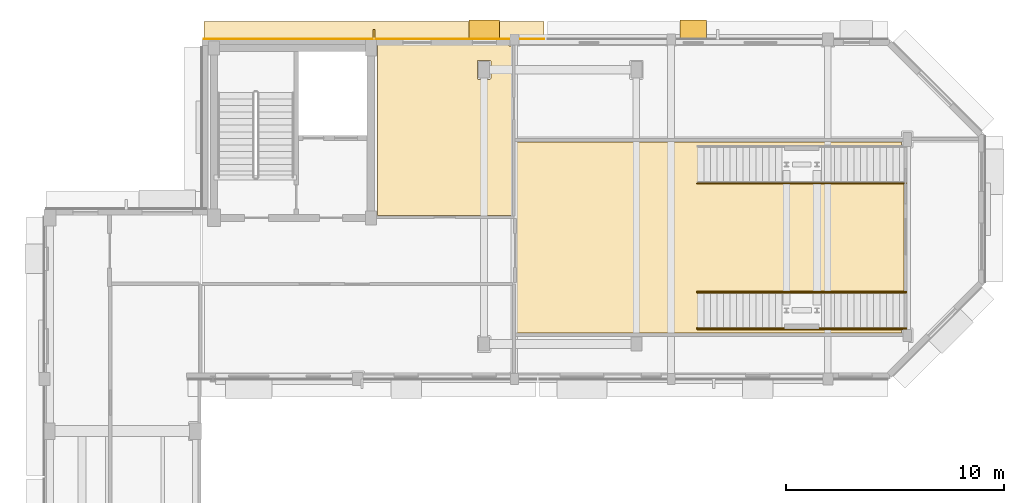
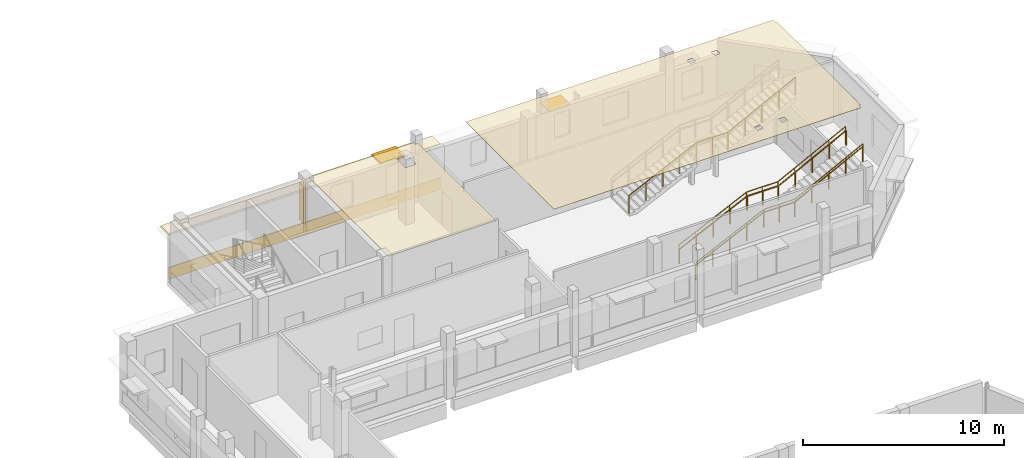
# One storey, part 91 of 92: 5 railings, 4 coverings, 3 shading devices.
"""IFC4 building model written with IfcOpenShell, lengths in metres."""

from ifc_helpers import new_model, si_unit, direction, frame, origin, origin_2d, place, context, subcontext, project, spatial, polyline, rectangle, circle, outline, extrude, material, layer, layer_set, type_object, element, save


model = new_model("IFC4")

# Units and contexts
model_context = context("Model", 3, precision=1e-05, world=origin(), true_north=direction((0.0, 1.0)))
body_context = subcontext(model_context, "Body", "Model", "MODEL_VIEW")
ifc_project = project(units=[si_unit("LENGTHUNIT", "METRE"), si_unit("AREAUNIT", "SQUARE_METRE"), si_unit("VOLUMEUNIT", "CUBIC_METRE"), si_unit("PLANEANGLEUNIT", "RADIAN"), si_unit("MASSUNIT", "GRAM", prefix="KILO")], contexts=[model_context])

# Site, building, storey
site_placement = place(None, origin())
site = spatial("IfcSite", under=ifc_project, at=site_placement, CompositionType="ELEMENT")
building_placement = place(site_placement, origin())
building = spatial("IfcBuilding", under=site, at=building_placement, Name="Kelanivale Promenade Academy", CompositionType="ELEMENT")
storey_placement = place(building_placement, frame((0.0, 0.0, 8.199951171875)))
storey = spatial("IfcBuildingStorey", under=building, at=storey_placement, Name="L02", CompositionType="ELEMENT", Elevation=8.199951171875)

# Coverings
ifc_material_1 = material(Name="Warm ivory Art Deco stucco frieze band 40 mm", Category="masonry")
ifc_layer_1 = layer(ifc_material_1, 0.0400390625)
ifc_layer_set_1 = layer_set([ifc_layer_1], Name="Warm ivory Art Deco stucco frieze band 40 mm")
covering_type_1 = type_object("IfcCoveringType", Name="COV-CLD2 Warm ivory Art Deco stucco frieze ba", PredefinedType="CLADDING", material=ifc_layer_set_1)
covering_1_placement = place(storey_placement, frame((130.7451171875, 112.39990234375, 2.705078125), z_axis=(0.0, 0.0, 1.0), x_axis=(-1.0, 0.0, 0.0)))
element("IfcCovering", 1, at=covering_1_placement, inside=storey, type_object=covering_type_1, Name="Art Deco projecting 820 mm streamline sunshade eyebrow ledge", PredefinedType="CLADDING", context=body_context, shape_type="SweptSolid", body=[
    extrude(rectangle(XDim=15.631103515625, YDim=0.820068359375, at=origin_2d()), origin(), (0.0, 0.0, 1.0), 0.139892578125),
])
covering_2_placement = place(storey_placement, frame((130.7451171875, 112.014892578125, 0.06005859375), z_axis=(0.0, 0.0, 1.0), x_axis=(-1.0, 0.0, 0.0)))
element("IfcCovering", 2, at=covering_2_placement, inside=storey, type_object=covering_type_1, Name="Art Deco ivory stucco sill frieze band", PredefinedType="CLADDING", context=body_context, shape_type="SweptSolid", body=[
    extrude(rectangle(XDim=15.631103515625, YDim=0.0400390625, at=origin_2d()), origin(), (0.0, 0.0, 1.0), 0.719970703125),
])
ifc_material_2 = material(Name="Acoustic mineral-fibre ceiling tile 25 mm", Category="gypsum")
ifc_layer_2 = layer(ifc_material_2, 0.02490234375)
ifc_layer_set_2 = layer_set([ifc_layer_2], Name="Acoustic mineral-fibre ceiling tile 25 mm")
covering_type_2 = type_object("IfcCoveringType", Name="COV-CLG1 Acoustic mineral-fibre ceiling tile ", PredefinedType="CEILING", material=ifc_layer_set_2)
covering_3_placement = place(storey_placement, frame((0.0, 0.0, 3.550048828125)))
element("IfcCovering", 3, at=covering_3_placement, inside=storey, type_object=covering_type_2, Name="Librarian and Digital Media Office acoustic suspended ceiling", PredefinedType="CEILING", context=body_context, shape_type="SweptSolid", body=[
    extrude(outline(polyline([(137.090087890625, 111.68994140625), (136.97998046875, 111.68994140625), (136.97607421875, 111.68994140625), (136.971923828125, 111.69091796875), (136.968017578125, 111.69189453125), (136.965087890625, 111.693115234375), (136.9609375, 111.695068359375), (136.9580078125, 111.697021484375), (136.955078125, 111.698974609375), (136.951904296875, 111.701904296875), (136.948974609375, 111.705078125), (136.947021484375, 111.7080078125), (136.945068359375, 111.7109375), (136.943115234375, 111.715087890625), (136.94189453125, 111.718017578125), (136.94091796875, 111.721923828125), (136.93994140625, 111.72607421875), (136.93994140625, 111.72998046875), (136.93994140625, 111.85009765625), (130.909912109375, 111.85009765625), (130.909912109375, 103.909912109375), (137.090087890625, 103.909912109375), (137.090087890625, 111.68994140625)]), holes=[polyline([(136.110107421875, 110.205078125), (136.110107421875, 110.200927734375), (136.10888671875, 110.197021484375), (136.10791015625, 110.193115234375), (136.10693359375, 110.18994140625), (136.10498046875, 110.18603515625), (136.10302734375, 110.18310546875), (136.10107421875, 110.179931640625), (136.097900390625, 110.177001953125), (136.094970703125, 110.174072265625), (136.092041015625, 110.172119140625), (136.089111328125, 110.169921875), (136.0849609375, 110.16796875), (136.08203125, 110.1669921875), (136.077880859375, 110.166015625), (136.073974609375, 110.1650390625), (136.070068359375, 110.1650390625), (135.530029296875, 110.1650390625), (135.52587890625, 110.1650390625), (135.52197265625, 110.166015625), (135.51806640625, 110.1669921875), (135.514892578125, 110.16796875), (135.510986328125, 110.169921875), (135.508056640625, 110.172119140625), (135.5048828125, 110.174072265625), (135.501953125, 110.177001953125), (135.4990234375, 110.179931640625), (135.4970703125, 110.18310546875), (135.4951171875, 110.18603515625), (135.492919921875, 110.18994140625), (135.491943359375, 110.193115234375), (135.490966796875, 110.197021484375), (135.489990234375, 110.200927734375), (135.489990234375, 110.205078125), (135.489990234375, 110.9951171875), (135.489990234375, 110.9990234375), (135.490966796875, 111.0029296875), (135.491943359375, 111.007080078125), (135.492919921875, 111.010009765625), (135.4951171875, 111.013916015625), (135.4970703125, 111.01708984375), (135.4990234375, 111.02001953125), (135.501953125, 111.02294921875), (135.5048828125, 111.02587890625), (135.508056640625, 111.028076171875), (135.510986328125, 111.030029296875), (135.514892578125, 111.031982421875), (135.51806640625, 111.032958984375), (135.52197265625, 111.033935546875), (135.52587890625, 111.034912109375), (135.530029296875, 111.034912109375), (136.070068359375, 111.034912109375), (136.073974609375, 111.034912109375), (136.077880859375, 111.033935546875), (136.08203125, 111.032958984375), (136.0849609375, 111.031982421875), (136.089111328125, 111.030029296875), (136.092041015625, 111.028076171875), (136.094970703125, 111.02587890625), (136.097900390625, 111.02294921875), (136.10107421875, 111.02001953125), (136.10302734375, 111.01708984375), (136.10498046875, 111.013916015625), (136.10693359375, 111.010009765625), (136.10791015625, 111.007080078125), (136.10888671875, 111.0029296875), (136.110107421875, 110.9990234375), (136.110107421875, 110.9951171875), (136.110107421875, 110.205078125)])]), origin(), (0.0, 0.0, 1.0), 0.02490234375),
])
covering_4_placement = place(storey_placement, frame((0.0, 0.0, 7.449951171875)))
element("IfcCovering", 4, at=covering_4_placement, inside=storey, type_object=covering_type_2, Name="Library Reading Room acoustic suspended ceiling", PredefinedType="CEILING", context=body_context, shape_type="SweptSolid", body=[
    extrude(outline(polyline([(137.31005859375, 98.510009765625), (154.989990234375, 98.510009765625), (154.989990234375, 98.695068359375), (154.989990234375, 98.698974609375), (154.990966796875, 98.702880859375), (154.991943359375, 98.70703125), (154.992919921875, 98.7099609375), (154.9951171875, 98.714111328125), (154.9970703125, 98.717041015625), (154.9990234375, 98.719970703125), (155.001953125, 98.722900390625), (155.0048828125, 98.72607421875), (155.008056640625, 98.72802734375), (155.010986328125, 98.72998046875), (155.014892578125, 98.73193359375), (155.01806640625, 98.73291015625), (155.02197265625, 98.73388671875), (155.02587890625, 98.735107421875), (155.030029296875, 98.735107421875), (155.090087890625, 98.735107421875), (155.090087890625, 107.014892578125), (155.030029296875, 107.014892578125), (155.02587890625, 107.014892578125), (155.02197265625, 107.01611328125), (155.01806640625, 107.01708984375), (155.014892578125, 107.01806640625), (155.010986328125, 107.02001953125), (155.008056640625, 107.02197265625), (155.0048828125, 107.02392578125), (155.001953125, 107.027099609375), (154.9990234375, 107.030029296875), (154.9970703125, 107.032958984375), (154.9951171875, 107.035888671875), (154.992919921875, 107.0400390625), (154.991943359375, 107.04296875), (154.990966796875, 107.047119140625), (154.989990234375, 107.051025390625), (154.989990234375, 107.054931640625), (154.989990234375, 107.2900390625), (137.31005859375, 107.2900390625), (137.31005859375, 98.510009765625)]), holes=[polyline([(151.221923828125, 106.4130859375), (151.22607421875, 106.4130859375), (151.22998046875, 106.412109375), (151.23388671875, 106.410888671875), (151.237060546875, 106.409912109375), (151.240966796875, 106.407958984375), (151.243896484375, 106.406005859375), (151.248046875, 106.404052734375), (151.25, 106.40087890625), (151.2529296875, 106.39794921875), (151.2548828125, 106.39501953125), (151.257080078125, 106.39208984375), (151.259033203125, 106.387939453125), (151.260009765625, 106.385009765625), (151.260986328125, 106.381103515625), (151.261962890625, 106.376953125), (151.261962890625, 106.373046875), (151.261962890625, 106.126953125), (151.261962890625, 106.123046875), (151.260986328125, 106.118896484375), (151.260009765625, 106.114990234375), (151.259033203125, 106.112060546875), (151.257080078125, 106.10791015625), (151.2548828125, 106.10498046875), (151.2529296875, 106.10205078125), (151.25, 106.09912109375), (151.248046875, 106.095947265625), (151.243896484375, 106.093994140625), (151.240966796875, 106.092041015625), (151.237060546875, 106.090087890625), (151.23388671875, 106.089111328125), (151.22998046875, 106.087890625), (151.22607421875, 106.0869140625), (151.221923828125, 106.0869140625), (150.97802734375, 106.0869140625), (150.97412109375, 106.0869140625), (150.969970703125, 106.087890625), (150.966064453125, 106.089111328125), (150.962890625, 106.090087890625), (150.958984375, 106.092041015625), (150.9560546875, 106.093994140625), (150.951904296875, 106.095947265625), (150.949951171875, 106.09912109375), (150.947021484375, 106.10205078125), (150.945068359375, 106.10498046875), (150.943115234375, 106.10791015625), (150.94091796875, 106.112060546875), (150.93994140625, 106.114990234375), (150.93896484375, 106.118896484375), (150.93798828125, 106.123046875), (150.93798828125, 106.126953125), (150.93798828125, 106.373046875), (150.93798828125, 106.376953125), (150.93896484375, 106.381103515625), (150.93994140625, 106.385009765625), (150.94091796875, 106.387939453125), (150.943115234375, 106.39208984375), (150.945068359375, 106.39501953125), (150.947021484375, 106.39794921875), (150.949951171875, 106.40087890625), (150.951904296875, 106.404052734375), (150.9560546875, 106.406005859375), (150.958984375, 106.407958984375), (150.962890625, 106.409912109375), (150.966064453125, 106.410888671875), (150.969970703125, 106.412109375), (150.97412109375, 106.4130859375), (150.97802734375, 106.4130859375), (151.221923828125, 106.4130859375)]), polyline([(151.261962890625, 99.427001953125), (151.261962890625, 99.423095703125), (151.260986328125, 99.4189453125), (151.260009765625, 99.4150390625), (151.259033203125, 99.412109375), (151.257080078125, 99.407958984375), (151.2548828125, 99.405029296875), (151.2529296875, 99.402099609375), (151.25, 99.39892578125), (151.248046875, 99.39599609375), (151.243896484375, 99.39404296875), (151.240966796875, 99.39208984375), (151.237060546875, 99.389892578125), (151.23388671875, 99.388916015625), (151.22998046875, 99.387939453125), (151.22607421875, 99.386962890625), (151.221923828125, 99.386962890625), (150.97802734375, 99.386962890625), (150.97412109375, 99.386962890625), (150.969970703125, 99.387939453125), (150.966064453125, 99.388916015625), (150.962890625, 99.389892578125), (150.958984375, 99.39208984375), (150.9560546875, 99.39404296875), (150.951904296875, 99.39599609375), (150.949951171875, 99.39892578125), (150.947021484375, 99.402099609375), (150.945068359375, 99.405029296875), (150.943115234375, 99.407958984375), (150.94091796875, 99.412109375), (150.93994140625, 99.4150390625), (150.93896484375, 99.4189453125), (150.93798828125, 99.423095703125), (150.93798828125, 99.427001953125), (150.93798828125, 99.673095703125), (150.93798828125, 99.677001953125), (150.93896484375, 99.680908203125), (150.93994140625, 99.68505859375), (150.94091796875, 99.68798828125), (150.943115234375, 99.69189453125), (150.945068359375, 99.695068359375), (150.947021484375, 99.697998046875), (150.949951171875, 99.700927734375), (150.951904296875, 99.7041015625), (150.9560546875, 99.7060546875), (150.958984375, 99.7080078125), (150.962890625, 99.7099609375), (150.966064453125, 99.7109375), (150.969970703125, 99.7119140625), (150.97412109375, 99.712890625), (150.97802734375, 99.712890625), (151.221923828125, 99.712890625), (151.22607421875, 99.712890625), (151.22998046875, 99.7119140625), (151.23388671875, 99.7109375), (151.237060546875, 99.7099609375), (151.240966796875, 99.7080078125), (151.243896484375, 99.7060546875), (151.248046875, 99.7041015625), (151.25, 99.700927734375), (151.2529296875, 99.697998046875), (151.2548828125, 99.695068359375), (151.257080078125, 99.69189453125), (151.259033203125, 99.68798828125), (151.260009765625, 99.68505859375), (151.260986328125, 99.680908203125), (151.261962890625, 99.677001953125), (151.261962890625, 99.673095703125), (151.261962890625, 99.427001953125)]), polyline([(149.862060546875, 99.427001953125), (149.862060546875, 99.423095703125), (149.861083984375, 99.4189453125), (149.860107421875, 99.4150390625), (149.85888671875, 99.412109375), (149.85693359375, 99.407958984375), (149.85498046875, 99.405029296875), (149.85302734375, 99.402099609375), (149.85009765625, 99.39892578125), (149.847900390625, 99.39599609375), (149.843994140625, 99.39404296875), (149.841064453125, 99.39208984375), (149.8369140625, 99.389892578125), (149.833984375, 99.388916015625), (149.830078125, 99.387939453125), (149.825927734375, 99.386962890625), (149.822021484375, 99.386962890625), (149.577880859375, 99.386962890625), (149.573974609375, 99.386962890625), (149.570068359375, 99.387939453125), (149.56591796875, 99.388916015625), (149.56298828125, 99.389892578125), (149.55908203125, 99.39208984375), (149.555908203125, 99.39404296875), (149.552001953125, 99.39599609375), (149.550048828125, 99.39892578125), (149.547119140625, 99.402099609375), (149.544921875, 99.405029296875), (149.54296875, 99.407958984375), (149.541015625, 99.412109375), (149.5400390625, 99.4150390625), (149.5390625, 99.4189453125), (149.5380859375, 99.423095703125), (149.5380859375, 99.427001953125), (149.5380859375, 99.673095703125), (149.5380859375, 99.677001953125), (149.5390625, 99.680908203125), (149.5400390625, 99.68505859375), (149.541015625, 99.68798828125), (149.54296875, 99.69189453125), (149.544921875, 99.695068359375), (149.547119140625, 99.697998046875), (149.550048828125, 99.700927734375), (149.552001953125, 99.7041015625), (149.555908203125, 99.7060546875), (149.55908203125, 99.7080078125), (149.56298828125, 99.7099609375), (149.56591796875, 99.7109375), (149.570068359375, 99.7119140625), (149.573974609375, 99.712890625), (149.577880859375, 99.712890625), (149.822021484375, 99.712890625), (149.825927734375, 99.712890625), (149.830078125, 99.7119140625), (149.833984375, 99.7109375), (149.8369140625, 99.7099609375), (149.841064453125, 99.7080078125), (149.843994140625, 99.7060546875), (149.847900390625, 99.7041015625), (149.85009765625, 99.700927734375), (149.85302734375, 99.697998046875), (149.85498046875, 99.695068359375), (149.85693359375, 99.69189453125), (149.85888671875, 99.68798828125), (149.860107421875, 99.68505859375), (149.861083984375, 99.680908203125), (149.862060546875, 99.677001953125), (149.862060546875, 99.673095703125), (149.862060546875, 99.427001953125)]), polyline([(149.862060546875, 106.126953125), (149.862060546875, 106.123046875), (149.861083984375, 106.118896484375), (149.860107421875, 106.114990234375), (149.85888671875, 106.112060546875), (149.85693359375, 106.10791015625), (149.85498046875, 106.10498046875), (149.85302734375, 106.10205078125), (149.85009765625, 106.09912109375), (149.847900390625, 106.095947265625), (149.843994140625, 106.093994140625), (149.841064453125, 106.092041015625), (149.8369140625, 106.090087890625), (149.833984375, 106.089111328125), (149.830078125, 106.087890625), (149.825927734375, 106.0869140625), (149.822021484375, 106.0869140625), (149.577880859375, 106.0869140625), (149.573974609375, 106.0869140625), (149.570068359375, 106.087890625), (149.56591796875, 106.089111328125), (149.56298828125, 106.090087890625), (149.55908203125, 106.092041015625), (149.555908203125, 106.093994140625), (149.552001953125, 106.095947265625), (149.550048828125, 106.09912109375), (149.547119140625, 106.10205078125), (149.544921875, 106.10498046875), (149.54296875, 106.10791015625), (149.541015625, 106.112060546875), (149.5400390625, 106.114990234375), (149.5390625, 106.118896484375), (149.5380859375, 106.123046875), (149.5380859375, 106.126953125), (149.5380859375, 106.373046875), (149.5380859375, 106.376953125), (149.5390625, 106.381103515625), (149.5400390625, 106.385009765625), (149.541015625, 106.387939453125), (149.54296875, 106.39208984375), (149.544921875, 106.39501953125), (149.547119140625, 106.39794921875), (149.550048828125, 106.40087890625), (149.552001953125, 106.404052734375), (149.555908203125, 106.406005859375), (149.55908203125, 106.407958984375), (149.56298828125, 106.409912109375), (149.56591796875, 106.410888671875), (149.570068359375, 106.412109375), (149.573974609375, 106.4130859375), (149.577880859375, 106.4130859375), (149.822021484375, 106.4130859375), (149.825927734375, 106.4130859375), (149.830078125, 106.412109375), (149.833984375, 106.410888671875), (149.8369140625, 106.409912109375), (149.841064453125, 106.407958984375), (149.843994140625, 106.406005859375), (149.847900390625, 106.404052734375), (149.85009765625, 106.40087890625), (149.85302734375, 106.39794921875), (149.85498046875, 106.39501953125), (149.85693359375, 106.39208984375), (149.85888671875, 106.387939453125), (149.860107421875, 106.385009765625), (149.861083984375, 106.381103515625), (149.862060546875, 106.376953125), (149.862060546875, 106.373046875), (149.862060546875, 106.126953125)])]), origin(), (0.0, 0.0, 1.0), 0.025146484375),
])

# Railings
ifc_material_3 = material(Name="Brushed stainless steel grade 316", Category="steel")
railing_type_1 = type_object("IfcRailingType", Name="GR-01 Stair Guard 1100mm", PredefinedType="BALUSTRADE", material=ifc_material_3)
railing_1_placement = place(storey_placement, frame((145.60009765625, 98.68505859375, 0.142822265625)))
element("IfcRailing", 5, at=railing_1_placement, inside=storey, type_object=railing_type_1, Name="Library stair ST-07 balustrade S", PredefinedType="BALUSTRADE", context=body_context, shape_type="SweptSolid", body=[
    extrude(circle(Radius=0.02392578125, at=origin_2d()), frame((0.0, 0.0, 1.09619140625), z_axis=(0.902853205547, 0.0, 0.429948937937), x_axis=(0.0, 1.0, 0.0)), (0.0, 0.0, 1.0), 4.319580078125),
    extrude(circle(Radius=0.02392578125, at=origin_2d()), frame((3.89990234375, 0.0, 2.953125), z_axis=(1.0, 0.0, 0.0), x_axis=(0.0, 1.0, 0.0)), (0.0, 0.0, 1.0), 1.800048828125),
    extrude(circle(Radius=0.02392578125, at=origin_2d()), frame((5.699951171875, 0.0, 2.953125), z_axis=(0.889812823198, 0.0, 0.456325694731), x_axis=(0.0, 1.0, 0.0)), (0.0, 0.0, 1.0), 4.3828125),
    extrude(circle(Radius=0.02099609375, at=origin_2d()), origin(), (0.0, 0.0, 1.0), 1.072021484375),
    extrude(circle(Radius=0.02099609375, at=origin_2d()), frame((0.97509765625, 0.0, 0.46435546875)), (0.0, 0.0, 1.0), 1.072021484375),
    extrude(circle(Radius=0.02099609375, at=origin_2d()), frame((1.949951171875, 0.0, 0.9287109375)), (0.0, 0.0, 1.0), 1.072021484375),
    extrude(circle(Radius=0.02099609375, at=origin_2d()), frame((2.9248046875, 0.0, 1.392822265625)), (0.0, 0.0, 1.0), 1.072021484375),
    extrude(circle(Radius=0.02099609375, at=origin_2d()), frame((3.89990234375, 0.0, 1.857177734375)), (0.0, 0.0, 1.0), 1.072021484375),
    extrude(circle(Radius=0.02099609375, at=origin_2d()), frame((4.7998046875, 0.0, 1.857177734375)), (0.0, 0.0, 1.0), 1.072021484375),
    extrude(circle(Radius=0.02099609375, at=origin_2d()), frame((5.699951171875, 0.0, 1.857177734375)), (0.0, 0.0, 1.0), 1.072021484375),
    extrude(circle(Radius=0.02099609375, at=origin_2d()), frame((6.6748046875, 0.0, 2.357177734375)), (0.0, 0.0, 1.0), 1.072021484375),
    extrude(circle(Radius=0.02099609375, at=origin_2d()), frame((7.64990234375, 0.0, 2.857177734375)), (0.0, 0.0, 1.0), 1.072021484375),
    extrude(circle(Radius=0.02099609375, at=origin_2d()), frame((8.625, 0.0, 3.357177734375)), (0.0, 0.0, 1.0), 1.072021484375),
    extrude(circle(Radius=0.02099609375, at=origin_2d()), frame((9.599853515625, 0.0, 3.857177734375)), (0.0, 0.0, 1.0), 1.072021484375),
])
railing_2_placement = place(storey_placement, frame((145.60009765625, 100.4150390625, 0.142822265625)))
element("IfcRailing", 6, at=railing_2_placement, inside=storey, type_object=railing_type_1, Name="Library stair ST-07 balustrade N", PredefinedType="BALUSTRADE", context=body_context, shape_type="SweptSolid", body=[
    extrude(circle(Radius=0.02392578125, at=origin_2d()), frame((0.0, 0.0, 1.09619140625), z_axis=(0.902853205547, 0.0, 0.429948937937), x_axis=(0.0, 1.0, 0.0)), (0.0, 0.0, 1.0), 4.319580078125),
    extrude(circle(Radius=0.02392578125, at=origin_2d()), frame((3.89990234375, 0.0, 2.953125), z_axis=(1.0, 0.0, 0.0), x_axis=(0.0, 1.0, 0.0)), (0.0, 0.0, 1.0), 1.800048828125),
    extrude(circle(Radius=0.02392578125, at=origin_2d()), frame((5.699951171875, 0.0, 2.953125), z_axis=(0.889812823198, 0.0, 0.456325694731), x_axis=(0.0, 1.0, 0.0)), (0.0, 0.0, 1.0), 4.3828125),
    extrude(circle(Radius=0.02099609375, at=origin_2d()), origin(), (0.0, 0.0, 1.0), 1.072021484375),
    extrude(circle(Radius=0.02099609375, at=origin_2d()), frame((0.97509765625, 0.0, 0.46435546875)), (0.0, 0.0, 1.0), 1.072021484375),
    extrude(circle(Radius=0.02099609375, at=origin_2d()), frame((1.949951171875, 0.0, 0.9287109375)), (0.0, 0.0, 1.0), 1.072021484375),
    extrude(circle(Radius=0.02099609375, at=origin_2d()), frame((2.9248046875, 0.0, 1.392822265625)), (0.0, 0.0, 1.0), 1.072021484375),
    extrude(circle(Radius=0.02099609375, at=origin_2d()), frame((3.89990234375, 0.0, 1.857177734375)), (0.0, 0.0, 1.0), 1.072021484375),
    extrude(circle(Radius=0.02099609375, at=origin_2d()), frame((4.7998046875, 0.0, 1.857177734375)), (0.0, 0.0, 1.0), 1.072021484375),
    extrude(circle(Radius=0.02099609375, at=origin_2d()), frame((5.699951171875, 0.0, 1.857177734375)), (0.0, 0.0, 1.0), 1.072021484375),
    extrude(circle(Radius=0.02099609375, at=origin_2d()), frame((6.6748046875, 0.0, 2.357177734375)), (0.0, 0.0, 1.0), 1.072021484375),
    extrude(circle(Radius=0.02099609375, at=origin_2d()), frame((7.64990234375, 0.0, 2.857177734375)), (0.0, 0.0, 1.0), 1.072021484375),
    extrude(circle(Radius=0.02099609375, at=origin_2d()), frame((8.625, 0.0, 3.357177734375)), (0.0, 0.0, 1.0), 1.072021484375),
    extrude(circle(Radius=0.02099609375, at=origin_2d()), frame((9.599853515625, 0.0, 3.857177734375)), (0.0, 0.0, 1.0), 1.072021484375),
])
railing_3_placement = place(storey_placement, frame((145.60009765625, 105.385009765625, 0.142822265625)))
element("IfcRailing", 7, at=railing_3_placement, inside=storey, type_object=railing_type_1, Name="Library stair ST-08 balustrade S", PredefinedType="BALUSTRADE", context=body_context, shape_type="SweptSolid", body=[
    extrude(circle(Radius=0.02392578125, at=origin_2d()), frame((0.0, 0.0, 1.09619140625), z_axis=(0.902853205547, 0.0, 0.429948937937), x_axis=(0.0, 1.0, 0.0)), (0.0, 0.0, 1.0), 4.319580078125),
    extrude(circle(Radius=0.02392578125, at=origin_2d()), frame((3.89990234375, 0.0, 2.953125), z_axis=(1.0, 0.0, 0.0), x_axis=(0.0, 1.0, 0.0)), (0.0, 0.0, 1.0), 1.800048828125),
    extrude(circle(Radius=0.02392578125, at=origin_2d()), frame((5.699951171875, 0.0, 2.953125), z_axis=(0.889812823198, 0.0, 0.456325694731), x_axis=(0.0, 1.0, 0.0)), (0.0, 0.0, 1.0), 4.3828125),
    extrude(circle(Radius=0.02099609375, at=origin_2d()), origin(), (0.0, 0.0, 1.0), 1.072021484375),
    extrude(circle(Radius=0.02099609375, at=origin_2d()), frame((0.97509765625, 0.0, 0.46435546875)), (0.0, 0.0, 1.0), 1.072021484375),
    extrude(circle(Radius=0.02099609375, at=origin_2d()), frame((1.949951171875, 0.0, 0.9287109375)), (0.0, 0.0, 1.0), 1.072021484375),
    extrude(circle(Radius=0.02099609375, at=origin_2d()), frame((2.9248046875, 0.0, 1.392822265625)), (0.0, 0.0, 1.0), 1.072021484375),
    extrude(circle(Radius=0.02099609375, at=origin_2d()), frame((3.89990234375, 0.0, 1.857177734375)), (0.0, 0.0, 1.0), 1.072021484375),
    extrude(circle(Radius=0.02099609375, at=origin_2d()), frame((4.7998046875, 0.0, 1.857177734375)), (0.0, 0.0, 1.0), 1.072021484375),
    extrude(circle(Radius=0.02099609375, at=origin_2d()), frame((5.699951171875, 0.0, 1.857177734375)), (0.0, 0.0, 1.0), 1.072021484375),
    extrude(circle(Radius=0.02099609375, at=origin_2d()), frame((6.6748046875, 0.0, 2.357177734375)), (0.0, 0.0, 1.0), 1.072021484375),
    extrude(circle(Radius=0.02099609375, at=origin_2d()), frame((7.64990234375, 0.0, 2.857177734375)), (0.0, 0.0, 1.0), 1.072021484375),
    extrude(circle(Radius=0.02099609375, at=origin_2d()), frame((8.625, 0.0, 3.357177734375)), (0.0, 0.0, 1.0), 1.072021484375),
    extrude(circle(Radius=0.02099609375, at=origin_2d()), frame((9.599853515625, 0.0, 3.857177734375)), (0.0, 0.0, 1.0), 1.072021484375),
])
railing_type_2 = type_object("IfcRailingType", Name="HR-01 Pitch Handrail 900mm", PredefinedType="HANDRAIL", material=ifc_material_3)
railing_4_placement = place(storey_placement, frame((145.60009765625, 98.735107421875, 0.142822265625)))
element("IfcRailing", 8, at=railing_4_placement, inside=storey, type_object=railing_type_2, Name="Library stair ST-07 handrail S", PredefinedType="HANDRAIL", context=body_context, shape_type="SweptSolid", body=[
    extrude(circle(Radius=0.02392578125, at=origin_2d()), frame((0.0, 0.0, 0.8759765625), z_axis=(0.902853205547, 0.0, 0.429948937937), x_axis=(0.0, 1.0, 0.0)), (0.0, 0.0, 1.0), 4.319580078125),
    extrude(circle(Radius=0.02392578125, at=origin_2d()), frame((3.89990234375, 0.0, 2.73291015625), z_axis=(1.0, 0.0, 0.0), x_axis=(0.0, 1.0, 0.0)), (0.0, 0.0, 1.0), 1.800048828125),
    extrude(circle(Radius=0.02392578125, at=origin_2d()), frame((5.699951171875, 0.0, 2.73291015625), z_axis=(0.889812823198, 0.0, 0.456325694731), x_axis=(0.0, 1.0, 0.0)), (0.0, 0.0, 1.0), 4.3828125),
    extrude(circle(Radius=0.02099609375, at=origin_2d()), origin(), (0.0, 0.0, 1.0), 0.851806640625),
    extrude(circle(Radius=0.02099609375, at=origin_2d()), frame((0.97509765625, 0.0, 0.46435546875)), (0.0, 0.0, 1.0), 0.851806640625),
    extrude(circle(Radius=0.02099609375, at=origin_2d()), frame((1.949951171875, 0.0, 0.9287109375)), (0.0, 0.0, 1.0), 0.851806640625),
    extrude(circle(Radius=0.02099609375, at=origin_2d()), frame((2.9248046875, 0.0, 1.392822265625)), (0.0, 0.0, 1.0), 0.851806640625),
    extrude(circle(Radius=0.02099609375, at=origin_2d()), frame((3.89990234375, 0.0, 1.857177734375)), (0.0, 0.0, 1.0), 0.851806640625),
    extrude(circle(Radius=0.02099609375, at=origin_2d()), frame((4.7998046875, 0.0, 1.857177734375)), (0.0, 0.0, 1.0), 0.851806640625),
    extrude(circle(Radius=0.02099609375, at=origin_2d()), frame((5.699951171875, 0.0, 1.857177734375)), (0.0, 0.0, 1.0), 0.851806640625),
    extrude(circle(Radius=0.02099609375, at=origin_2d()), frame((6.6748046875, 0.0, 2.357177734375)), (0.0, 0.0, 1.0), 0.851806640625),
    extrude(circle(Radius=0.02099609375, at=origin_2d()), frame((7.64990234375, 0.0, 2.857177734375)), (0.0, 0.0, 1.0), 0.851806640625),
    extrude(circle(Radius=0.02099609375, at=origin_2d()), frame((8.625, 0.0, 3.357177734375)), (0.0, 0.0, 1.0), 0.851806640625),
    extrude(circle(Radius=0.02099609375, at=origin_2d()), frame((9.599853515625, 0.0, 3.857177734375)), (0.0, 0.0, 1.0), 0.851806640625),
])
railing_5_placement = place(storey_placement, frame((145.60009765625, 100.364990234375, 0.142822265625)))
element("IfcRailing", 9, at=railing_5_placement, inside=storey, type_object=railing_type_2, Name="Library stair ST-07 handrail N", PredefinedType="HANDRAIL", context=body_context, shape_type="SweptSolid", body=[
    extrude(circle(Radius=0.02392578125, at=origin_2d()), frame((0.0, 0.0, 0.8759765625), z_axis=(0.902853205547, 0.0, 0.429948937937), x_axis=(0.0, 1.0, 0.0)), (0.0, 0.0, 1.0), 4.319580078125),
    extrude(circle(Radius=0.02392578125, at=origin_2d()), frame((3.89990234375, 0.0, 2.73291015625), z_axis=(1.0, 0.0, 0.0), x_axis=(0.0, 1.0, 0.0)), (0.0, 0.0, 1.0), 1.800048828125),
    extrude(circle(Radius=0.02392578125, at=origin_2d()), frame((5.699951171875, 0.0, 2.73291015625), z_axis=(0.889812823198, 0.0, 0.456325694731), x_axis=(0.0, 1.0, 0.0)), (0.0, 0.0, 1.0), 4.3828125),
    extrude(circle(Radius=0.02099609375, at=origin_2d()), origin(), (0.0, 0.0, 1.0), 0.851806640625),
    extrude(circle(Radius=0.02099609375, at=origin_2d()), frame((0.97509765625, 0.0, 0.46435546875)), (0.0, 0.0, 1.0), 0.851806640625),
    extrude(circle(Radius=0.02099609375, at=origin_2d()), frame((1.949951171875, 0.0, 0.9287109375)), (0.0, 0.0, 1.0), 0.851806640625),
    extrude(circle(Radius=0.02099609375, at=origin_2d()), frame((2.9248046875, 0.0, 1.392822265625)), (0.0, 0.0, 1.0), 0.851806640625),
    extrude(circle(Radius=0.02099609375, at=origin_2d()), frame((3.89990234375, 0.0, 1.857177734375)), (0.0, 0.0, 1.0), 0.851806640625),
    extrude(circle(Radius=0.02099609375, at=origin_2d()), frame((4.7998046875, 0.0, 1.857177734375)), (0.0, 0.0, 1.0), 0.851806640625),
    extrude(circle(Radius=0.02099609375, at=origin_2d()), frame((5.699951171875, 0.0, 1.857177734375)), (0.0, 0.0, 1.0), 0.851806640625),
    extrude(circle(Radius=0.02099609375, at=origin_2d()), frame((6.6748046875, 0.0, 2.357177734375)), (0.0, 0.0, 1.0), 0.851806640625),
    extrude(circle(Radius=0.02099609375, at=origin_2d()), frame((7.64990234375, 0.0, 2.857177734375)), (0.0, 0.0, 1.0), 0.851806640625),
    extrude(circle(Radius=0.02099609375, at=origin_2d()), frame((8.625, 0.0, 3.357177734375)), (0.0, 0.0, 1.0), 0.851806640625),
    extrude(circle(Radius=0.02099609375, at=origin_2d()), frame((9.599853515625, 0.0, 3.857177734375)), (0.0, 0.0, 1.0), 0.851806640625),
])

# Shading devices
ifc_material_4 = material(Name="Precast concrete C40/50", Category="concrete")
ifc_layer_3 = layer(ifc_material_4, 0.1201171875)
ifc_layer_set_3 = layer_set([ifc_layer_3], Name="Precast concrete C40/50")
shading_device_type_1 = type_object("IfcShadingDeviceType", Name="SHD-01 Art Deco Sunshade Eyebrow 900mm", PredefinedType="USERDEFINED", material=ifc_layer_set_3)
shading_device_1_placement = place(storey_placement, frame((145.412109375, 112.43994140625, 2.56005859375), z_axis=(0.0, 0.0, 1.0), x_axis=(-1.0, 0.0, 0.0)))
element("IfcShadingDevice", 10, at=shading_device_1_placement, inside=storey, type_object=shading_device_type_1, Name="Art Deco 900 mm precast chajja window sunshade", ObjectType="SUNSHADE", PredefinedType="USERDEFINED", context=body_context, shape_type="SweptSolid", body=[
    extrude(rectangle(XDim=1.199951171875, YDim=0.89990234375, at=origin_2d()), origin(), (0.0, 0.0, 1.0), 0.1201171875),
])
shading_device_2_placement = place(storey_placement, frame((135.81689453125, 112.43994140625, 2.760009765625), z_axis=(0.0, 0.0, 1.0), x_axis=(-1.0, 0.0, 0.0)))
element("IfcShadingDevice", 11, at=shading_device_2_placement, inside=storey, type_object=shading_device_type_1, Name="Art Deco 900 mm precast chajja window sunshade", ObjectType="SUNSHADE", PredefinedType="USERDEFINED", context=body_context, shape_type="SweptSolid", body=[
    extrude(rectangle(XDim=1.39990234375, YDim=0.89990234375, at=origin_2d()), origin(), (0.0, 0.0, 1.0), 0.1201171875),
])
ifc_material_5 = material(Name="Bronze anodised aluminium EN AW-6063 T6", Category="aluminium")
ifc_layer_4 = layer(ifc_material_5, 0.10009765625)
ifc_layer_set_4 = layer_set([ifc_layer_4], Name="Bronze anodised aluminium EN AW-6063 T6")
shading_device_type_2 = type_object("IfcShadingDeviceType", Name="SHD-03 Vertical Fluted Solar Fin", PredefinedType="USERDEFINED", material=ifc_layer_set_4)
shading_device_3_placement = place(storey_placement, frame((130.7451171875, 112.219970703125, 0.7001953125), z_axis=(0.0, 0.0, 1.0), x_axis=(-1.0, 0.0, 0.0)))
element("IfcShadingDevice", 12, at=shading_device_3_placement, inside=storey, type_object=shading_device_type_2, Name="Vertical fluted Art Deco solar fin", ObjectType="SOLAR FIN", PredefinedType="USERDEFINED", context=body_context, shape_type="SweptSolid", body=[
    extrude(rectangle(XDim=0.10009765625, YDim=0.449951171875, at=origin_2d()), origin(), (0.0, 0.0, 1.0), 2.300048828125),
])

save(model, "model.ifc")
